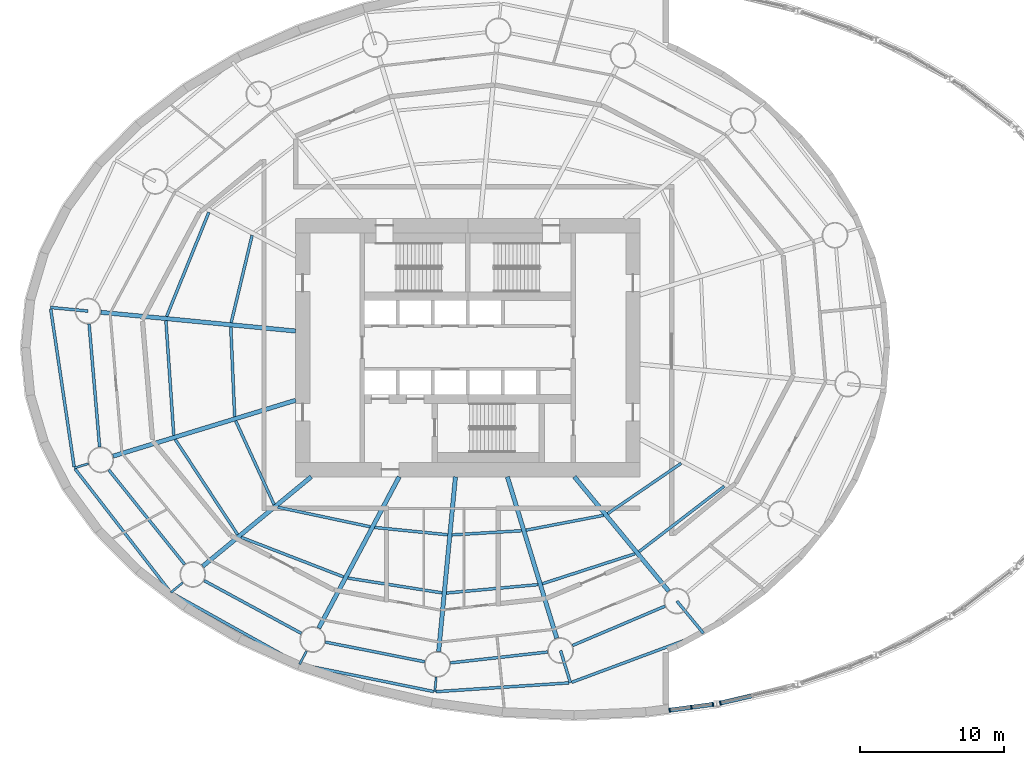
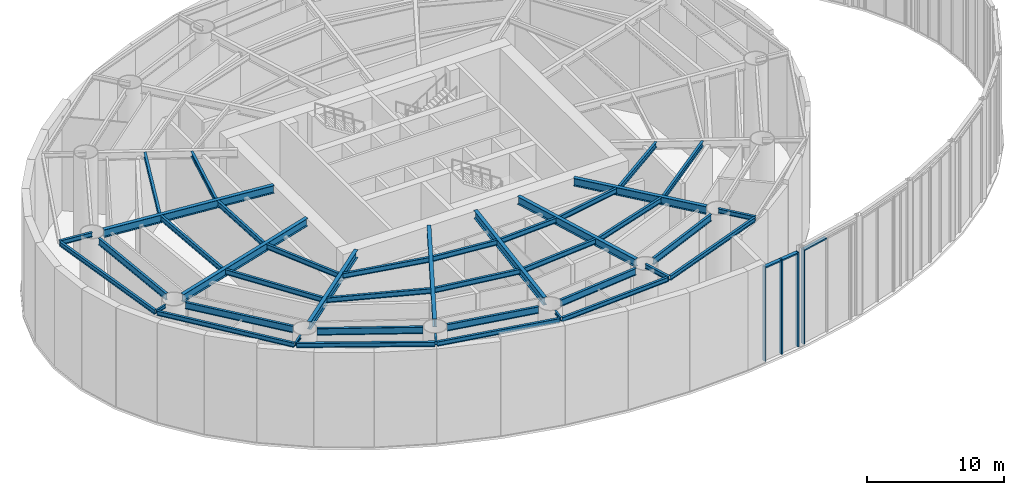
# One storey, part 4 of 19: 42 beams, 7 members, 2 elements without a shape of their own.
"""IFC4 building model written with IfcOpenShell, lengths in metres."""

from ifc_helpers import new_model, si_unit, direction, frame, origin, origin_2d, place, context, subcontext, project, spatial, rectangle, i_section, extrude, material, material_profile, profile_set, type_object, element, aggregate, save


model = new_model("IFC4")

# Units and contexts
model_context = context("Model", 3, precision=1e-05, world=origin(), true_north=direction((0.0, 1.0)))
body_context = subcontext(model_context, "Body", "Model", "MODEL_VIEW")
ifc_project = project(units=[si_unit("LENGTHUNIT", "METRE"), si_unit("AREAUNIT", "SQUARE_METRE"), si_unit("VOLUMEUNIT", "CUBIC_METRE"), si_unit("PLANEANGLEUNIT", "RADIAN"), si_unit("MASSUNIT", "GRAM", prefix="KILO")], contexts=[model_context])

# Site, building, storey
site_placement = place(None, origin())
site = spatial("IfcSite", under=ifc_project, at=site_placement, CompositionType="ELEMENT")
building_placement = place(site_placement, origin())
building = spatial("IfcBuilding", under=site, at=building_placement, Name="Vermilion Reach Broadcast Tower", CompositionType="ELEMENT")
storey_placement = place(building_placement, frame((0.0, 0.0, 8.0)))
storey = spatial("IfcBuildingStorey", under=building, at=storey_placement, Name="L01", CompositionType="ELEMENT", Elevation=8.0)

# Curtain wall, members
ifc_material_1 = material(Name="Low-e laminated clear glass in aluminium frame", Category="aluminium")
curtain_wall_type = type_object("IfcCurtainWallType", Name="Atrium outer wall curtain wall", PredefinedType="NOTDEFINED", material=ifc_material_1)
placement = place(storey_placement, origin())
curtain_wall_1 = element("IfcCurtainWall", 1, at=placement, inside=storey, type_object=curtain_wall_type, Name="Atrium wall L01 01", PredefinedType="NOTDEFINED")
ifc_material_2 = material(Name="Anodised aluminium", Category="aluminium")
ifc_material_profile_1 = material_profile(ifc_material_2, rectangle(XDim=0.300048828125, YDim=0.10009765625, at=origin_2d()), Name="Atrium outer wall mullion 100 x 300")
ifc_profile_set_1 = profile_set([ifc_material_profile_1], Name="Anodised aluminium")
member_type_1 = type_object("IfcMemberType", Name="Atrium outer wall mullion 100 x 300", PredefinedType="MULLION", material=ifc_profile_set_1)
member_1_placement = place(storey_placement, frame((8.062744140625, -25.257568359375, 0.0), z_axis=(0.0, 0.0, 1.0), x_axis=(-0.132793713723, 0.991143697753, 0.0)))
member_1 = element("IfcMember", 2, at=member_1_placement, type_object=member_type_1, Name="Atrium wall mullion L01 01.1", PredefinedType="MULLION", context=body_context, shape_type="SweptSolid", body=[
    extrude(rectangle(XDim=0.300048828125, YDim=0.10009765625, at=origin_2d()), origin(), (0.0, 0.0, 1.0), 8.409912109375),
])
member_2_placement = place(storey_placement, frame((9.569091796875, -25.055908203125, 0.0), z_axis=(0.0, 0.0, 1.0), x_axis=(-0.132793713723, 0.991143697753, 0.0)))
member_2 = element("IfcMember", 3, at=member_2_placement, type_object=member_type_1, Name="Atrium wall mullion L01 01.2", PredefinedType="MULLION", context=body_context, shape_type="SweptSolid", body=[
    extrude(rectangle(XDim=0.300048828125, YDim=0.10009765625, at=origin_2d()), origin(), (0.0, 0.0, 1.0), 8.409912109375),
])
member_3_placement = place(storey_placement, frame((11.075439453125, -24.85400390625, 0.0), z_axis=(0.0, 0.0, 1.0), x_axis=(-0.132793713723, 0.991143697753, 0.0)))
member_3 = element("IfcMember", 4, at=member_3_placement, type_object=member_type_1, Name="Atrium wall mullion L01 01.3", PredefinedType="MULLION", context=body_context, shape_type="SweptSolid", body=[
    extrude(rectangle(XDim=0.300048828125, YDim=0.10009765625, at=origin_2d()), origin(), (0.0, 0.0, 1.0), 8.409912109375),
])

# Curtain wall, member
curtain_wall_2 = element("IfcCurtainWall", 5, at=placement, inside=storey, type_object=curtain_wall_type, Name="Atrium wall L01 02", PredefinedType="NOTDEFINED")
member_4_placement = place(storey_placement, frame((11.594482421875, -24.760009765625, 0.0), z_axis=(0.0, 0.0, 1.0), x_axis=(-0.222891523278, 0.974843253478, 0.0)))
member_4 = element("IfcMember", 6, at=member_4_placement, type_object=member_type_1, Name="Atrium wall mullion L01 02.1", PredefinedType="MULLION", context=body_context, shape_type="SweptSolid", body=[
    extrude(rectangle(XDim=0.300048828125, YDim=0.10009765625, at=origin_2d()), origin(), (0.0, 0.0, 1.0), 8.409912109375),
])

# Member
ifc_material_3 = material(Name="Anodised aluminium", Category="aluminium")
ifc_material_profile_2 = material_profile(ifc_material_3, rectangle(XDim=0.300048828125, YDim=0.1201171875, at=origin_2d()), Name="Atrium outer wall transom 300 x 120")
ifc_profile_set_2 = profile_set([ifc_material_profile_2], Name="Anodised aluminium")
member_type_2 = type_object("IfcMemberType", Name="Atrium outer wall transom 300 x 120", PredefinedType="USERDEFINED", material=ifc_profile_set_2)
member_5_placement = place(storey_placement, frame((8.1123046875, -25.2509765625, 8.35009765625), z_axis=(0.991149634463, 0.132749395872, 0.0), x_axis=(-0.132749395872, 0.991149634463, 0.0)))
member_5 = element("IfcMember", 7, at=member_5_placement, type_object=member_type_2, Name="Atrium wall transom L01 01.1.2", ObjectType="TRANSOM", PredefinedType="USERDEFINED", context=body_context, shape_type="SweptSolid", body=[
    extrude(rectangle(XDim=0.300048828125, YDim=0.1201171875, at=origin_2d()), origin(), (0.0, 0.0, 1.0), 1.419677734375),
])

member_6_placement = place(storey_placement, frame((9.61865234375, -25.049072265625, 8.35009765625), z_axis=(0.991149634463, 0.132749395872, 0.0), x_axis=(-0.132749395872, 0.991149634463, 0.0)))
member_6 = element("IfcMember", 8, at=member_6_placement, type_object=member_type_2, Name="Atrium wall transom L01 01.2.2", ObjectType="TRANSOM", PredefinedType="USERDEFINED", context=body_context, shape_type="SweptSolid", body=[
    extrude(rectangle(XDim=0.300048828125, YDim=0.1201171875, at=origin_2d()), origin(), (0.0, 0.0, 1.0), 1.419677734375),
])

aggregate(curtain_wall_1, [member_1, member_2, member_3, member_5, member_6])

member_7_placement = place(storey_placement, frame((11.643310546875, -24.7490234375, 8.35009765625), z_axis=(0.97483071414, 0.222946358504, 0.0), x_axis=(-0.222946358504, 0.97483071414, 0.0)))
member_7 = element("IfcMember", 9, at=member_7_placement, type_object=member_type_2, Name="Atrium wall transom L01 02.1.2", ObjectType="TRANSOM", PredefinedType="USERDEFINED", context=body_context, shape_type="SweptSolid", body=[
    extrude(rectangle(XDim=0.300048828125, YDim=0.1201171875, at=origin_2d()), origin(), (0.0, 0.0, 1.0), 2.181396484375),
])

aggregate(curtain_wall_2, [member_4, member_7])

# Beams
ifc_material_4 = material(Name="Steel S355J2", Category="steel")
ifc_material_profile_3 = material_profile(ifc_material_4, i_section(OverallWidth=0.199951171875, OverallDepth=0.39990234375, WebThickness=0.008056640625, FlangeThickness=0.012939453125, at=origin_2d()), Name="S355J2 HN 400x200x8x13")
ifc_profile_set_3 = profile_set([ifc_material_profile_3], Name="Steel S355J2")
beam_type_1 = type_object("IfcBeamType", Name="EB1 HN 400x200x8x13", PredefinedType="BEAM", material=ifc_profile_set_3)
beam_1_placement = place(storey_placement, frame((-35.061279296875, 2.692626953125, 8.60009765625), z_axis=(0.147029010253, -0.98913218032, 0.0), x_axis=(0.98913218032, 0.147029010253, 0.0)))
element("IfcBeam", 10, at=beam_1_placement, inside=storey, type_object=beam_type_1, Name="Edge beam EB1-08", PredefinedType="BEAM", context=body_context, shape_type="SweptSolid", body=[
    extrude(i_section(OverallWidth=0.199951171875, OverallDepth=0.39990234375, WebThickness=0.008056640625, FlangeThickness=0.012939453125, at=origin_2d()), origin(), (0.0, 0.0, 1.0), 11.125244140625),
])
beam_2_placement = place(storey_placement, frame((-33.365234375, -8.449951171875, 8.60009765625), z_axis=(0.612374307057, -0.790567965488, 0.0), x_axis=(0.790567965488, 0.612374307057, 0.0)))
element("IfcBeam", 11, at=beam_2_placement, inside=storey, type_object=beam_type_1, Name="Edge beam EB1-09", PredefinedType="BEAM", context=body_context, shape_type="SweptSolid", body=[
    extrude(i_section(OverallWidth=0.199951171875, OverallDepth=0.39990234375, WebThickness=0.008056640625, FlangeThickness=0.012939453125, at=origin_2d()), origin(), (0.0, 0.0, 1.0), 10.821044921875),
])
beam_3_placement = place(storey_placement, frame((-26.62255859375, -17.10302734375, 8.60009765625), z_axis=(0.873686455295, -0.486489442674, 0.0), x_axis=(0.486489442674, 0.873686455295, 0.0)))
element("IfcBeam", 12, at=beam_3_placement, inside=storey, type_object=beam_type_1, Name="Edge beam EB1-10", PredefinedType="BEAM", context=body_context, shape_type="SweptSolid", body=[
    extrude(i_section(OverallWidth=0.199951171875, OverallDepth=0.39990234375, WebThickness=0.008056640625, FlangeThickness=0.012939453125, at=origin_2d()), origin(), (0.0, 0.0, 1.0), 10.110595703125),
])
beam_4_placement = place(storey_placement, frame((-17.64697265625, -22.07373046875, 8.60009765625), z_axis=(0.979888700242, -0.199544819871, 0.0), x_axis=(0.199544819871, 0.979888700242, 0.0)))
element("IfcBeam", 13, at=beam_4_placement, inside=storey, type_object=beam_type_1, Name="Edge beam EB1-11", PredefinedType="BEAM", context=body_context, shape_type="SweptSolid", body=[
    extrude(i_section(OverallWidth=0.199951171875, OverallDepth=0.39990234375, WebThickness=0.008056640625, FlangeThickness=0.012939453125, at=origin_2d()), origin(), (0.0, 0.0, 1.0), 9.458740234375),
])
beam_5_placement = place(storey_placement, frame((-8.228515625, -23.97119140625, 8.60009765625), z_axis=(0.997825669163, 0.065908527213, 0.0), x_axis=(-0.065908527213, 0.997825669163, 0.0)))
element("IfcBeam", 14, at=beam_5_placement, inside=storey, type_object=beam_type_1, Name="Edge beam EB1-12", PredefinedType="BEAM", context=body_context, shape_type="SweptSolid", body=[
    extrude(i_section(OverallWidth=0.199951171875, OverallDepth=0.39990234375, WebThickness=0.008056640625, FlangeThickness=0.012939453125, at=origin_2d()), origin(), (0.0, 0.0, 1.0), 9.290283203125),
])
beam_6_placement = place(storey_placement, frame((1.23779296875, -23.3173828125, 8.60009765625), z_axis=(0.9372716621, 0.348599815582, 0.0), x_axis=(-0.348599815582, 0.9372716621, 0.0)))
element("IfcBeam", 15, at=beam_6_placement, inside=storey, type_object=beam_type_1, Name="Edge beam EB1-13", PredefinedType="BEAM", context=body_context, shape_type="SweptSolid", body=[
    extrude(i_section(OverallWidth=0.199951171875, OverallDepth=0.39990234375, WebThickness=0.008056640625, FlangeThickness=0.012939453125, at=origin_2d()), origin(), (0.0, 0.0, 1.0), 9.684326171875),
])
ifc_material_5 = material(Name="Steel S355J2", Category="steel")
ifc_material_profile_4 = material_profile(ifc_material_5, i_section(OverallWidth=0.300048828125, OverallDepth=0.699951171875, WebThickness=0.012939453125, FlangeThickness=0.02392578125, at=origin_2d()), Name="S355J2 HN 700x300x13x24")
ifc_profile_set_4 = profile_set([ifc_material_profile_4], Name="Steel S355J2")
beam_type_2 = type_object("IfcBeamType", Name="G1 HN 700x300x13x24", PredefinedType="BEAM", material=ifc_profile_set_4)
beam_7_placement = place(storey_placement, frame((-18.0, 1.1533203125, 8.449951171875), z_axis=(-0.995412178872, 0.095679643363, 0.0), x_axis=(-0.095679643363, -0.995412178872, 0.0)))
element("IfcBeam", 16, at=beam_7_placement, inside=storey, type_object=beam_type_2, Name="Girder G1-08", PredefinedType="BEAM", context=body_context, shape_type="SweptSolid", body=[
    extrude(i_section(OverallWidth=0.300048828125, OverallDepth=0.699951171875, WebThickness=0.012939453125, FlangeThickness=0.02392578125, at=origin_2d()), origin(), (0.0, 0.0, 1.0), 13.630859375),
])
beam_8_placement = place(storey_placement, frame((-18.0, -3.671142578125, 8.449951171875), z_axis=(-0.956255735186, -0.292531996409, 0.0), x_axis=(0.292531996409, -0.956255735186, 0.0)))
element("IfcBeam", 17, at=beam_8_placement, inside=storey, type_object=beam_type_2, Name="Girder G1-09", PredefinedType="BEAM", context=body_context, shape_type="SweptSolid", body=[
    extrude(i_section(OverallWidth=0.300048828125, OverallDepth=0.699951171875, WebThickness=0.012939453125, FlangeThickness=0.02392578125, at=origin_2d()), origin(), (0.0, 0.0, 1.0), 13.29638671875),
])
beam_9_placement = place(storey_placement, frame((-16.9140625, -9.0, 8.449951171875), z_axis=(-0.771514256373, -0.636212034005, 0.0), x_axis=(0.636212034005, -0.771514256373, 0.0)))
element("IfcBeam", 18, at=beam_9_placement, inside=storey, type_object=beam_type_2, Name="Girder G1-10", PredefinedType="BEAM", context=body_context, shape_type="SweptSolid", body=[
    extrude(i_section(OverallWidth=0.300048828125, OverallDepth=0.699951171875, WebThickness=0.012939453125, FlangeThickness=0.02392578125, at=origin_2d()), origin(), (0.0, 0.0, 1.0), 9.796142578125),
])
beam_10_placement = place(storey_placement, frame((-10.783447265625, -9.0, 8.449951171875), z_axis=(-0.469312182262, -0.883032318537, 0.0), x_axis=(0.883032318537, -0.469312182262, 0.0)))
element("IfcBeam", 19, at=beam_10_placement, inside=storey, type_object=beam_type_2, Name="Girder G1-11", PredefinedType="BEAM", context=body_context, shape_type="SweptSolid", body=[
    extrude(i_section(OverallWidth=0.300048828125, OverallDepth=0.699951171875, WebThickness=0.012939453125, FlangeThickness=0.02392578125, at=origin_2d()), origin(), (0.0, 0.0, 1.0), 11.94091796875),
])
beam_11_placement = place(storey_placement, frame((-6.864990234375, -9.0, 8.449951171875), z_axis=(-0.09566673912, -0.995413419151, 0.0), x_axis=(0.995413419151, -0.09566673912, 0.0)))
element("IfcBeam", 20, at=beam_11_placement, inside=storey, type_object=beam_type_2, Name="Girder G1-12", PredefinedType="BEAM", context=body_context, shape_type="SweptSolid", body=[
    extrude(i_section(OverallWidth=0.300048828125, OverallDepth=0.699951171875, WebThickness=0.012939453125, FlangeThickness=0.02392578125, at=origin_2d()), origin(), (0.0, 0.0, 1.0), 12.22412109375),
])
beam_12_placement = place(storey_placement, frame((-3.246826171875, -9.0, 8.449951171875), z_axis=(0.292542302886, -0.95625258223, 0.0), x_axis=(0.95625258223, 0.292542302886, 0.0)))
element("IfcBeam", 21, at=beam_12_placement, inside=storey, type_object=beam_type_2, Name="Girder G1-13", PredefinedType="BEAM", context=body_context, shape_type="SweptSolid", body=[
    extrude(i_section(OverallWidth=0.300048828125, OverallDepth=0.699951171875, WebThickness=0.012939453125, FlangeThickness=0.02392578125, at=origin_2d()), origin(), (0.0, 0.0, 1.0), 11.76220703125),
])
beam_13_placement = place(storey_placement, frame((1.421630859375, -9.0, 8.449951171875), z_axis=(0.636215165107, -0.77151167437, 0.0), x_axis=(0.77151167437, 0.636215165107, 0.0)))
element("IfcBeam", 22, at=beam_13_placement, inside=storey, type_object=beam_type_2, Name="Girder G1-14", PredefinedType="BEAM", context=body_context, shape_type="SweptSolid", body=[
    extrude(i_section(OverallWidth=0.300048828125, OverallDepth=0.699951171875, WebThickness=0.012939453125, FlangeThickness=0.02392578125, at=origin_2d()), origin(), (0.0, 0.0, 1.0), 10.3251953125),
])
ifc_material_6 = material(Name="Steel S355J2", Category="steel")
ifc_material_profile_5 = material_profile(ifc_material_6, i_section(OverallWidth=0.199951171875, OverallDepth=0.39990234375, WebThickness=0.008056640625, FlangeThickness=0.012939453125, at=origin_2d()), Name="S355J2 HN 400x200x8x13")
ifc_profile_set_5 = profile_set([ifc_material_profile_5], Name="Steel S355J2")
beam_type_3 = type_object("IfcBeamType", Name="GC1 HN 400x200x8x13", PredefinedType="BEAM", material=ifc_profile_set_5)
beam_14_placement = place(storey_placement, frame((-32.464111328125, 2.54345703125, 8.60009765625), z_axis=(-0.995407665441, 0.095726587639, 0.0), x_axis=(-0.095726587639, -0.995407665441, 0.0)))
element("IfcBeam", 23, at=beam_14_placement, inside=storey, type_object=beam_type_3, Name="Cantilever girder GC1-08", PredefinedType="BEAM", context=body_context, shape_type="SweptSolid", body=[
    extrude(i_section(OverallWidth=0.199951171875, OverallDepth=0.39990234375, WebThickness=0.008056640625, FlangeThickness=0.012939453125, at=origin_2d()), origin(), (0.0, 0.0, 1.0), 2.624267578125),
])
beam_15_placement = place(storey_placement, frame((0.45751953125, -21.108154296875, 8.60009765625), z_axis=(0.292535678809, -0.956254608681, 0.0), x_axis=(0.956254608681, 0.292535678809, 0.0)))
element("IfcBeam", 24, at=beam_15_placement, inside=storey, type_object=beam_type_3, Name="Cantilever girder GC1-13", PredefinedType="BEAM", context=body_context, shape_type="SweptSolid", body=[
    extrude(i_section(OverallWidth=0.199951171875, OverallDepth=0.39990234375, WebThickness=0.008056640625, FlangeThickness=0.012939453125, at=origin_2d()), origin(), (0.0, 0.0, 1.0), 2.346923828125),
])
beam_16_placement = place(storey_placement, frame((8.563232421875, -17.660400390625, 8.60009765625), z_axis=(0.636213137876, -0.771513346089, 0.0), x_axis=(0.771513346089, 0.636213137876, 0.0)))
element("IfcBeam", 25, at=beam_16_placement, inside=storey, type_object=beam_type_3, Name="Cantilever girder GC1-14", PredefinedType="BEAM", context=body_context, shape_type="SweptSolid", body=[
    extrude(i_section(OverallWidth=0.199951171875, OverallDepth=0.39990234375, WebThickness=0.008056640625, FlangeThickness=0.012939453125, at=origin_2d()), origin(), (0.0, 0.0, 1.0), 2.90869140625),
])
ifc_material_7 = material(Name="Steel S355J2", Category="steel")
ifc_material_profile_6 = material_profile(ifc_material_7, i_section(OverallWidth=0.14990234375, OverallDepth=0.300048828125, WebThickness=0.006591796875, FlangeThickness=0.009033203125, at=origin_2d()), Name="S355J2 HN 300x150x6.5x9")
ifc_profile_set_6 = profile_set([ifc_material_profile_6], Name="Steel S355J2")
beam_type_4 = type_object("IfcBeamType", Name="GS1 HN 300x150x6.5x9", PredefinedType="BEAM", material=ifc_profile_set_6)
beam_17_placement = place(storey_placement, frame((-32.43603515625, -8.08740234375, 8.64990234375), z_axis=(-0.956262624381, -0.292509475422, 0.0), x_axis=(0.292509475422, -0.956262624381, 0.0)))
element("IfcBeam", 26, at=beam_17_placement, inside=storey, type_object=beam_type_4, Name="Cantilever stub GS1-09", PredefinedType="BEAM", context=body_context, shape_type="SweptSolid", body=[
    extrude(i_section(OverallWidth=0.14990234375, OverallDepth=0.300048828125, WebThickness=0.006591796875, FlangeThickness=0.009033203125, at=origin_2d()), origin(), (0.0, 0.0, 1.0), 1.023193359375),
])
beam_18_placement = place(storey_placement, frame((-25.860595703125, -16.377685546875, 8.64990234375), z_axis=(-0.771531570629, -0.636191036972, 0.0), x_axis=(0.636191036972, -0.771531570629, 0.0)))
element("IfcBeam", 27, at=beam_18_placement, inside=storey, type_object=beam_type_4, Name="Cantilever stub GS1-10", PredefinedType="BEAM", context=body_context, shape_type="SweptSolid", body=[
    extrude(i_section(OverallWidth=0.14990234375, OverallDepth=0.300048828125, WebThickness=0.006591796875, FlangeThickness=0.009033203125, at=origin_2d()), origin(), (0.0, 0.0, 1.0), 1.07861328125),
])
beam_19_placement = place(storey_placement, frame((-17.232177734375, -21.1337890625, 8.64990234375), z_axis=(-0.469462125124, -0.882952610888, 0.0), x_axis=(0.882952610888, -0.469462125124, 0.0)))
element("IfcBeam", 28, at=beam_19_placement, inside=storey, type_object=beam_type_4, Name="Cantilever stub GS1-11", PredefinedType="BEAM", context=body_context, shape_type="SweptSolid", body=[
    extrude(i_section(OverallWidth=0.14990234375, OverallDepth=0.300048828125, WebThickness=0.006591796875, FlangeThickness=0.009033203125, at=origin_2d()), origin(), (0.0, 0.0, 1.0), 1.046875),
])
beam_20_placement = place(storey_placement, frame((-8.206787109375, -22.959716796875, 8.64990234375), z_axis=(-0.095621304963, -0.99541778467, 0.0), x_axis=(0.99541778467, -0.095621304963, 0.0)))
element("IfcBeam", 29, at=beam_20_placement, inside=storey, type_object=beam_type_4, Name="Cantilever stub GS1-12", PredefinedType="BEAM", context=body_context, shape_type="SweptSolid", body=[
    extrude(i_section(OverallWidth=0.14990234375, OverallDepth=0.300048828125, WebThickness=0.006591796875, FlangeThickness=0.009033203125, at=origin_2d()), origin(), (0.0, 0.0, 1.0), 1.021240234375),
])
ifc_material_8 = material(Name="Steel S355J2", Category="steel")
ifc_material_profile_7 = material_profile(ifc_material_8, i_section(OverallWidth=0.199951171875, OverallDepth=0.60009765625, WebThickness=0.010986328125, FlangeThickness=0.01708984375, at=origin_2d()), Name="S355J2 HN 600x200x11x17")
ifc_profile_set_7 = profile_set([ifc_material_profile_7], Name="Steel S355J2")
beam_type_5 = type_object("IfcBeamType", Name="RB1 HN 600x200x11x17", PredefinedType="BEAM", material=ifc_profile_set_7)
beam_21_placement = place(storey_placement, frame((-32.38720703125, 1.646728515625, 8.5), z_axis=(0.085395508608, -0.996347131832, 0.0), x_axis=(0.996347131832, 0.085395508608, 0.0)))
element("IfcBeam", 30, at=beam_21_placement, inside=storey, type_object=beam_type_5, Name="Ring beam RB1-08", PredefinedType="BEAM", context=body_context, shape_type="SweptSolid", body=[
    extrude(i_section(OverallWidth=0.199951171875, OverallDepth=0.60009765625, WebThickness=0.010986328125, FlangeThickness=0.01708984375, at=origin_2d()), origin(), (0.0, 0.0, 1.0), 8.60546875),
])
beam_22_placement = place(storey_placement, frame((-31.011962890625, -8.52587890625, 8.5), z_axis=(0.626162157191, -0.779692858055, 0.0), x_axis=(0.779692858055, 0.626162157191, 0.0)))
element("IfcBeam", 31, at=beam_22_placement, inside=storey, type_object=beam_type_5, Name="Ring beam RB1-09", PredefinedType="BEAM", context=body_context, shape_type="SweptSolid", body=[
    extrude(i_section(OverallWidth=0.199951171875, OverallDepth=0.60009765625, WebThickness=0.010986328125, FlangeThickness=0.01708984375, at=origin_2d()), origin(), (0.0, 0.0, 1.0), 8.435791015625),
])
beam_23_placement = place(storey_placement, frame((-24.375244140625, -16.234130859375, 8.5), z_axis=(0.878962319551, -0.476891225344, 0.0), x_axis=(0.476891225344, 0.878962319551, 0.0)))
element("IfcBeam", 32, at=beam_23_placement, inside=storey, type_object=beam_type_5, Name="Ring beam RB1-10", PredefinedType="BEAM", context=body_context, shape_type="SweptSolid", body=[
    extrude(i_section(OverallWidth=0.199951171875, OverallDepth=0.60009765625, WebThickness=0.010986328125, FlangeThickness=0.01708984375, at=origin_2d()), origin(), (0.0, 0.0, 1.0), 7.707275390625),
])
beam_24_placement = place(storey_placement, frame((-15.927001953125, -20.51416015625, 8.5), z_axis=(0.980857717995, -0.194725799651, 0.0), x_axis=(0.194725799651, 0.980857717995, 0.0)))
element("IfcBeam", 33, at=beam_24_placement, inside=storey, type_object=beam_type_5, Name="Ring beam RB1-11", PredefinedType="BEAM", context=body_context, shape_type="SweptSolid", body=[
    extrude(i_section(OverallWidth=0.199951171875, OverallDepth=0.60009765625, WebThickness=0.010986328125, FlangeThickness=0.01708984375, at=origin_2d()), origin(), (0.0, 0.0, 1.0), 7.05859375),
])
beam_25_placement = place(storey_placement, frame((-7.22607421875, -21.964111328125, 8.5), z_axis=(0.993851439324, 0.110721798009, 0.0), x_axis=(-0.110721798009, 0.993851439324, 0.0)))
element("IfcBeam", 34, at=beam_25_placement, inside=storey, type_object=beam_type_5, Name="Ring beam RB1-12", PredefinedType="BEAM", context=body_context, shape_type="SweptSolid", body=[
    extrude(i_section(OverallWidth=0.199951171875, OverallDepth=0.60009765625, WebThickness=0.010986328125, FlangeThickness=0.01708984375, at=origin_2d()), origin(), (0.0, 0.0, 1.0), 6.8310546875),
])
beam_26_placement = place(storey_placement, frame((1.28564453125, -20.755859375, 8.5), z_axis=(0.920220846584, 0.391399531825, 0.0), x_axis=(-0.391399531825, 0.920220846584, 0.0)))
element("IfcBeam", 35, at=beam_26_placement, inside=storey, type_object=beam_type_5, Name="Ring beam RB1-13", PredefinedType="BEAM", context=body_context, shape_type="SweptSolid", body=[
    extrude(i_section(OverallWidth=0.199951171875, OverallDepth=0.60009765625, WebThickness=0.010986328125, FlangeThickness=0.01708984375, at=origin_2d()), origin(), (0.0, 0.0, 1.0), 7.008544921875),
])
ifc_material_9 = material(Name="Steel S355J2", Category="steel")
ifc_material_profile_8 = material_profile(ifc_material_9, i_section(OverallWidth=0.199951171875, OverallDepth=0.449951171875, WebThickness=0.009033203125, FlangeThickness=0.013916015625, at=origin_2d()), Name="S355J2 HN 450x200x9x14")
ifc_profile_set_8 = profile_set([ifc_material_profile_8], Name="Steel S355J2")
beam_type_6 = type_object("IfcBeamType", Name="SB1 HN 450x200x9x14", PredefinedType="BEAM", material=ifc_profile_set_8)
beam_27_placement = place(storey_placement, frame((-21.031005859375, 7.81884765625, 8.574951171875), z_axis=(-0.232844467589, -0.972513986487, 0.0), x_axis=(0.972513986487, -0.232844467589, 0.0)))
element("IfcBeam", 36, at=beam_27_placement, inside=storey, type_object=beam_type_6, Name="Secondary beam SB1-07-1", PredefinedType="BEAM", context=body_context, shape_type="SweptSolid", body=[
    extrude(i_section(OverallWidth=0.199951171875, OverallDepth=0.449951171875, WebThickness=0.009033203125, FlangeThickness=0.013916015625, at=origin_2d()), origin(), (0.0, 0.0, 1.0), 6.25537109375),
])
beam_28_placement = place(storey_placement, frame((-24.046630859375, 9.421630859375, 8.574951171875), z_axis=(-0.375640669938, -0.926765389453, 0.0), x_axis=(0.926765389453, -0.375640669938, 0.0)))
element("IfcBeam", 37, at=beam_28_placement, inside=storey, type_object=beam_type_6, Name="Secondary beam SB1-07-2", PredefinedType="BEAM", context=body_context, shape_type="SweptSolid", body=[
    extrude(i_section(OverallWidth=0.199951171875, OverallDepth=0.449951171875, WebThickness=0.009033203125, FlangeThickness=0.013916015625, at=origin_2d()), origin(), (0.0, 0.0, 1.0), 7.8271484375),
])
beam_29_placement = place(storey_placement, frame((-22.51611328125, 1.436767578125, 8.574951171875), z_axis=(0.043361007512, -0.999059469215, 0.0), x_axis=(0.999059469215, 0.043361007512, 0.0)))
element("IfcBeam", 38, at=beam_29_placement, inside=storey, type_object=beam_type_6, Name="Secondary beam SB1-08-1", PredefinedType="BEAM", context=body_context, shape_type="SweptSolid", body=[
    extrude(i_section(OverallWidth=0.199951171875, OverallDepth=0.449951171875, WebThickness=0.009033203125, FlangeThickness=0.013916015625, at=origin_2d()), origin(), (0.0, 0.0, 1.0), 6.25537109375),
])
beam_30_placement = place(storey_placement, frame((-27.03515625, 1.87109375, 8.574951171875), z_axis=(0.068507801475, -0.997650580683, 0.0), x_axis=(0.997650580683, 0.068507801475, 0.0)))
element("IfcBeam", 39, at=beam_30_placement, inside=storey, type_object=beam_type_6, Name="Secondary beam SB1-08-2", PredefinedType="BEAM", context=body_context, shape_type="SweptSolid", body=[
    extrude(i_section(OverallWidth=0.199951171875, OverallDepth=0.449951171875, WebThickness=0.009033203125, FlangeThickness=0.013916015625, at=origin_2d()), origin(), (0.0, 0.0, 1.0), 8.00048828125),
])
beam_31_placement = place(storey_placement, frame((-22.175048828125, -5.105224609375, 8.574951171875), z_axis=(0.417211452529, -0.908809443106, 0.0), x_axis=(0.908809443106, 0.417211452529, 0.0)))
element("IfcBeam", 40, at=beam_31_placement, inside=storey, type_object=beam_type_6, Name="Secondary beam SB1-09-1", PredefinedType="BEAM", context=body_context, shape_type="SweptSolid", body=[
    extrude(i_section(OverallWidth=0.199951171875, OverallDepth=0.449951171875, WebThickness=0.009033203125, FlangeThickness=0.013916015625, at=origin_2d()), origin(), (0.0, 0.0, 1.0), 6.41650390625),
])
beam_32_placement = place(storey_placement, frame((-26.390625, -6.394775390625, 8.574951171875), z_axis=(0.548800909102, -0.835953086105, 0.0), x_axis=(0.835953086105, 0.548800909102, 0.0)))
element("IfcBeam", 41, at=beam_32_placement, inside=storey, type_object=beam_type_6, Name="Secondary beam SB1-09-2", PredefinedType="BEAM", context=body_context, shape_type="SweptSolid", body=[
    extrude(i_section(OverallWidth=0.199951171875, OverallDepth=0.449951171875, WebThickness=0.009033203125, FlangeThickness=0.013916015625, at=origin_2d()), origin(), (0.0, 0.0, 1.0), 7.935791015625),
])
beam_33_placement = place(storey_placement, frame((-19.24560546875, -11.1171875, 8.574951171875), z_axis=(0.978270372412, -0.207333254596, 0.0), x_axis=(0.207333254596, 0.978270372412, 0.0)))
element("IfcBeam", 42, at=beam_33_placement, inside=storey, type_object=beam_type_6, Name="Secondary beam SB1-10-1", PredefinedType="BEAM", context=body_context, shape_type="SweptSolid", body=[
    extrude(i_section(OverallWidth=0.199951171875, OverallDepth=0.449951171875, WebThickness=0.009033203125, FlangeThickness=0.013916015625, at=origin_2d()), origin(), (0.0, 0.0, 1.0), 6.584716796875),
])
beam_34_placement = place(storey_placement, frame((-21.7919921875, -13.217041015625, 8.574951171875), z_axis=(0.932680743753, -0.360702966765, 0.0), x_axis=(0.360702966765, 0.932680743753, 0.0)))
element("IfcBeam", 43, at=beam_34_placement, inside=storey, type_object=beam_type_6, Name="Secondary beam SB1-10-2", PredefinedType="BEAM", context=body_context, shape_type="SweptSolid", body=[
    extrude(i_section(OverallWidth=0.199951171875, OverallDepth=0.449951171875, WebThickness=0.009033203125, FlangeThickness=0.013916015625, at=origin_2d()), origin(), (0.0, 0.0, 1.0), 7.646240234375),
])
beam_35_placement = place(storey_placement, frame((-12.490234375, -12.531005859375, 8.574951171875), z_axis=(0.995010199331, -0.099773259079, 0.0), x_axis=(0.099773259079, 0.995010199331, 0.0)))
element("IfcBeam", 44, at=beam_35_placement, inside=storey, type_object=beam_type_6, Name="Secondary beam SB1-11-1", PredefinedType="BEAM", context=body_context, shape_type="SweptSolid", body=[
    extrude(i_section(OverallWidth=0.199951171875, OverallDepth=0.449951171875, WebThickness=0.009033203125, FlangeThickness=0.013916015625, at=origin_2d()), origin(), (0.0, 0.0, 1.0), 5.111572265625),
])
beam_36_placement = place(storey_placement, frame((-14.36279296875, -16.05419921875, 8.574951171875), z_axis=(0.987829548379, -0.155540294938, 0.0), x_axis=(0.155540294938, 0.987829548379, 0.0)))
element("IfcBeam", 45, at=beam_36_placement, inside=storey, type_object=beam_type_6, Name="Secondary beam SB1-11-2", PredefinedType="BEAM", context=body_context, shape_type="SweptSolid", body=[
    extrude(i_section(OverallWidth=0.199951171875, OverallDepth=0.449951171875, WebThickness=0.009033203125, FlangeThickness=0.013916015625, at=origin_2d()), origin(), (0.0, 0.0, 1.0), 6.650634765625),
])
beam_37_placement = place(storey_placement, frame((-7.103271484375, -13.046875, 8.574951171875), z_axis=(0.99823410974, 0.059402543307, 0.0), x_axis=(-0.059402543307, 0.99823410974, 0.0)))
element("IfcBeam", 46, at=beam_37_placement, inside=storey, type_object=beam_type_6, Name="Secondary beam SB1-12-1", PredefinedType="BEAM", context=body_context, shape_type="SweptSolid", body=[
    extrude(i_section(OverallWidth=0.199951171875, OverallDepth=0.449951171875, WebThickness=0.009033203125, FlangeThickness=0.013916015625, at=origin_2d()), origin(), (0.0, 0.0, 1.0), 4.85791015625),
])
beam_38_placement = place(storey_placement, frame((-7.49267578125, -17.09814453125, 8.574951171875), z_axis=(0.995818616382, 0.091352521952, 0.0), x_axis=(-0.091352521952, 0.995818616382, 0.0)))
element("IfcBeam", 47, at=beam_38_placement, inside=storey, type_object=beam_type_6, Name="Secondary beam SB1-12-2", PredefinedType="BEAM", context=body_context, shape_type="SweptSolid", body=[
    extrude(i_section(OverallWidth=0.199951171875, OverallDepth=0.449951171875, WebThickness=0.009033203125, FlangeThickness=0.013916015625, at=origin_2d()), origin(), (0.0, 0.0, 1.0), 6.4140625),
])
beam_39_placement = place(storey_placement, frame((-1.95166015625, -12.720703125, 8.574951171875), z_axis=(0.982151348822, 0.188092339045, 0.0), x_axis=(-0.188092339045, 0.982151348822, 0.0)))
element("IfcBeam", 48, at=beam_39_placement, inside=storey, type_object=beam_type_6, Name="Secondary beam SB1-13-1", PredefinedType="BEAM", context=body_context, shape_type="SweptSolid", body=[
    extrude(i_section(OverallWidth=0.199951171875, OverallDepth=0.449951171875, WebThickness=0.009033203125, FlangeThickness=0.013916015625, at=origin_2d()), origin(), (0.0, 0.0, 1.0), 5.4931640625),
])
beam_40_placement = place(storey_placement, frame((-0.81005859375, -16.4521484375, 8.574951171875), z_axis=(0.951332300844, 0.308166924523, 0.0), x_axis=(-0.308166924523, 0.951332300844, 0.0)))
element("IfcBeam", 49, at=beam_40_placement, inside=storey, type_object=beam_type_6, Name="Secondary beam SB1-13-2", PredefinedType="BEAM", context=body_context, shape_type="SweptSolid", body=[
    extrude(i_section(OverallWidth=0.199951171875, OverallDepth=0.449951171875, WebThickness=0.009033203125, FlangeThickness=0.013916015625, at=origin_2d()), origin(), (0.0, 0.0, 1.0), 6.787841796875),
])
beam_41_placement = place(storey_placement, frame((3.735595703125, -11.5703125, 8.574951171875), z_axis=(0.825140253447, 0.564927926502, 0.0), x_axis=(-0.564927926502, 0.825140253447, 0.0)))
element("IfcBeam", 50, at=beam_41_placement, inside=storey, type_object=beam_type_6, Name="Secondary beam SB1-14-1", PredefinedType="BEAM", context=body_context, shape_type="SweptSolid", body=[
    extrude(i_section(OverallWidth=0.199951171875, OverallDepth=0.449951171875, WebThickness=0.009033203125, FlangeThickness=0.013916015625, at=origin_2d()), origin(), (0.0, 0.0, 1.0), 6.20458984375),
])
beam_42_placement = place(storey_placement, frame((5.920166015625, -14.21923828125, 8.574951171875), z_axis=(0.793349617473, 0.60876628065, 0.0), x_axis=(-0.60876628065, 0.793349617473, 0.0)))
element("IfcBeam", 51, at=beam_42_placement, inside=storey, type_object=beam_type_6, Name="Secondary beam SB1-14-2", PredefinedType="BEAM", context=body_context, shape_type="SweptSolid", body=[
    extrude(i_section(OverallWidth=0.199951171875, OverallDepth=0.449951171875, WebThickness=0.009033203125, FlangeThickness=0.013916015625, at=origin_2d()), origin(), (0.0, 0.0, 1.0), 7.486328125),
])

save(model, "model.ifc")
